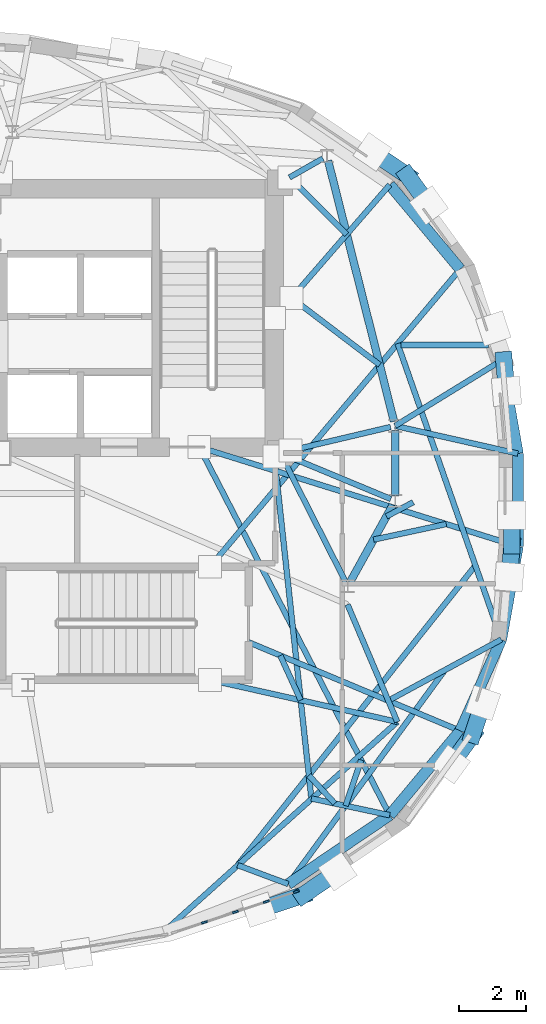
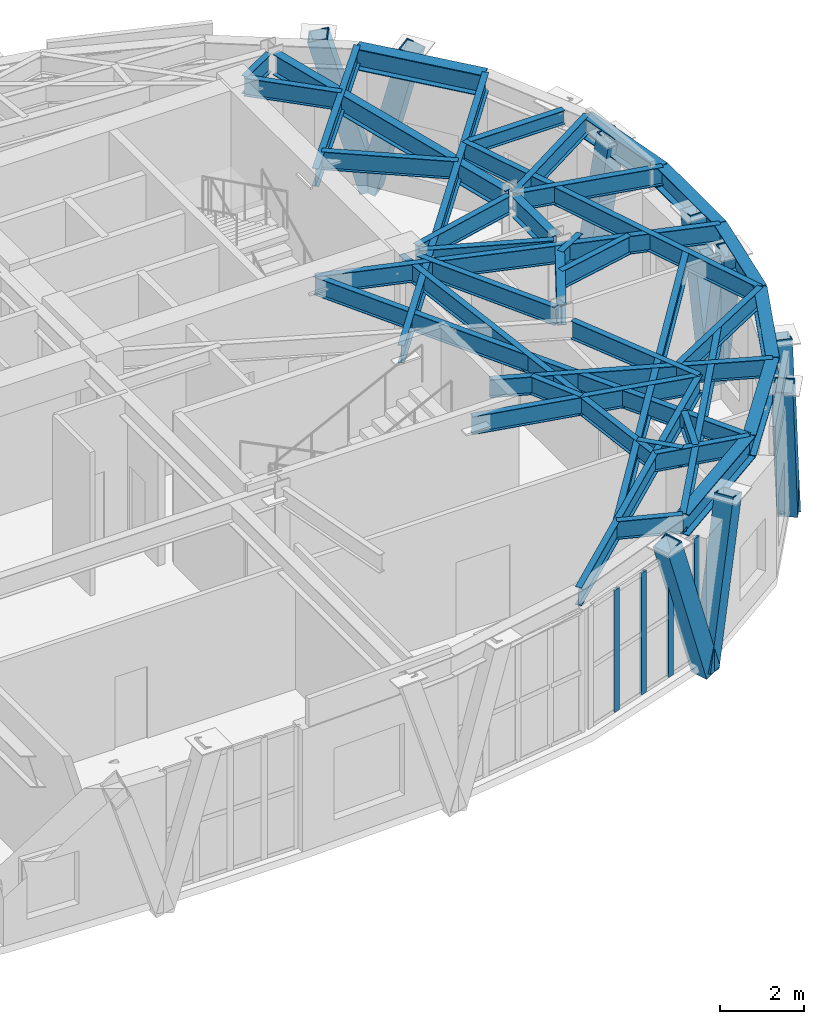
# One storey, part 6 of 16: 39 beams, 13 members, 1 element without a shape of its own.
"""IFC4 building model written with IfcOpenShell, lengths in metres."""

from ifc_helpers import new_model, si_unit, direction, frame, origin, origin_2d, place, context, subcontext, project, spatial, rectangle, hollow_rectangle, i_section, extrude, material, layer, layer_set, material_profile, profile_set, type_object, element, aggregate, save


model = new_model("IFC4")

# Units and contexts
model_context = context("Model", 3, precision=1e-05, world=origin(), true_north=direction((0.0, 1.0)))
body_context = subcontext(model_context, "Body", "Model", "MODEL_VIEW")
ifc_project = project(units=[si_unit("LENGTHUNIT", "METRE"), si_unit("AREAUNIT", "SQUARE_METRE"), si_unit("VOLUMEUNIT", "CUBIC_METRE"), si_unit("PLANEANGLEUNIT", "RADIAN"), si_unit("MASSUNIT", "GRAM", prefix="KILO")], contexts=[model_context])

# Site, building, storey
site_placement = place(None, origin())
site = spatial("IfcSite", under=ifc_project, at=site_placement, CompositionType="ELEMENT")
building_placement = place(site_placement, origin())
building = spatial("IfcBuilding", under=site, at=building_placement, Name="Keldmark Tower", CompositionType="ELEMENT")
storey_placement = place(building_placement, frame((0.0, 0.0, 264.800048828125)))
storey = spatial("IfcBuildingStorey", under=building, at=storey_placement, Name="L75", CompositionType="ELEMENT", Elevation=264.800048828125)

# Beam
ifc_material_1 = material(Name="Steel ASTM A992 Grade 50", Category="steel")
ifc_material_profile_1 = material_profile(ifc_material_1, i_section(OverallWidth=0.177978515625, OverallDepth=0.403076171875, WebThickness=0.007568359375, FlangeThickness=0.010986328125, at=origin_2d()), Name="W16X36")
ifc_profile_set_1 = profile_set([ifc_material_profile_1], Name="Steel ASTM A992 Grade 50")
beam_type_1 = type_object("IfcBeamType", Name="Composite Floor Joist W16X36", PredefinedType="JOIST", material=ifc_profile_set_1)
beam_1_placement = place(storey_placement, frame((17.193359375, 4.6201171875, 3.99853515625), z_axis=(1.0, 0.0, 0.0), x_axis=(0.0, 1.0, 0.0)))
element("IfcBeam", 1, at=beam_1_placement, inside=storey, type_object=beam_type_1, Name="L75 Composite Floor Joist J02", PredefinedType="JOIST", context=body_context, shape_type="SweptSolid", body=[
    extrude(i_section(OverallWidth=0.177978515625, OverallDepth=0.403076171875, WebThickness=0.007568359375, FlangeThickness=0.010986328125, at=origin_2d()), origin(), (0.0, 0.0, 1.0), 2.61669921875),
])

# Curtain wall, members
ifc_material_2 = material(Name="Unitized Thermally Broken Aluminum and Triple Low-E Glazing", Category="aluminium")
ifc_layer = layer(ifc_material_2, 0.219970703125)
ifc_layer_set = layer_set([ifc_layer], Name="Unitized Thermally Broken Aluminum and Triple Low-E Glazing")
curtain_wall_type = type_object("IfcCurtainWallType", Name="Public Observation Lookout Curtain Wall System", PredefinedType="NOTDEFINED", material=ifc_layer_set)
curtain_wall_placement = place(storey_placement, origin())
curtain_wall = element("IfcCurtainWall", 2, at=curtain_wall_placement, inside=storey, type_object=curtain_wall_type, Name="L75 Public Observation Lookout Curtain Wall System CW-L75-27", PredefinedType="NOTDEFINED")
ifc_material_3 = material(Name="Extruded Aluminum Alloy 6063-T6", Category="aluminium")
ifc_material_profile_2 = material_profile(ifc_material_3, rectangle(XDim=0.06005859375, YDim=0.179931640625, at=origin_2d()), Name="CWM60X180")
ifc_profile_set_2 = profile_set([ifc_material_profile_2], Name="Extruded Aluminum Alloy 6063-T6")
member_type_1 = type_object("IfcMemberType", Name="Curtain Wall Structural Mullion 60x180", PredefinedType="MULLION", material=ifc_profile_set_2)
member_1_placement = place(storey_placement, frame((14.08056640625, -11.667236328125, 0.0), z_axis=(0.0, 0.0, 1.0), x_axis=(0.316776009076, -0.948500374314, 0.0)))
member_1 = element("IfcMember", 3, at=member_1_placement, type_object=member_type_1, Name="CW mullion 1", PredefinedType="MULLION", context=body_context, shape_type="SweptSolid", body=[
    extrude(rectangle(XDim=0.06005859375, YDim=0.179931640625, at=origin_2d()), origin(), (0.0, 0.0, 1.0), 3.56591796875),
])
member_2_placement = place(storey_placement, frame((13.187744140625, -11.96533203125, 0.0), z_axis=(0.0, 0.0, 1.0), x_axis=(0.316776009076, -0.948500374314, 0.0)))
member_2 = element("IfcMember", 4, at=member_2_placement, type_object=member_type_1, Name="CW mullion 2", PredefinedType="MULLION", context=body_context, shape_type="SweptSolid", body=[
    extrude(rectangle(XDim=0.06005859375, YDim=0.179931640625, at=origin_2d()), origin(), (0.0, 0.0, 1.0), 3.56591796875),
])
member_3_placement = place(storey_placement, frame((12.2666015625, -12.27294921875, 0.0), z_axis=(0.0, 0.0, 1.0), x_axis=(0.316776009076, -0.948500374314, 0.0)))
member_3 = element("IfcMember", 5, at=member_3_placement, type_object=member_type_1, Name="CW mullion 3", PredefinedType="MULLION", context=body_context, shape_type="SweptSolid", body=[
    extrude(rectangle(XDim=0.06005859375, YDim=0.179931640625, at=origin_2d()), origin(), (0.0, 0.0, 1.0), 3.56591796875),
])
member_4_placement = place(storey_placement, frame((11.345458984375, -12.58056640625, 0.0), z_axis=(0.0, 0.0, 1.0), x_axis=(0.316776009076, -0.948500374314, 0.0)))
member_4 = element("IfcMember", 6, at=member_4_placement, type_object=member_type_1, Name="CW mullion 4", PredefinedType="MULLION", context=body_context, shape_type="SweptSolid", body=[
    extrude(rectangle(XDim=0.06005859375, YDim=0.179931640625, at=origin_2d()), origin(), (0.0, 0.0, 1.0), 3.56591796875),
])
aggregate(curtain_wall, [member_1, member_2, member_3, member_4])

# Members
ifc_material_4 = material(Name="Steel ASTM A572 Grade 50", Category="steel")
ifc_material_profile_3 = material_profile(ifc_material_4, hollow_rectangle(XDim=0.5, YDim=0.5, WallThickness=0.030029296875, at=origin_2d()), Name="BOX500X500X30")
ifc_profile_set_3 = profile_set([ifc_material_profile_3], Name="Steel ASTM A572 Grade 50")
member_type_2 = type_object("IfcMemberType", Name="Diagrid Upper Brace BOX500X500X30", PredefinedType="BRACE", material=ifc_profile_set_3)
member_5_placement = place(storey_placement, frame((20.265869140625, 4.174072265625, -0.300048828125), z_axis=(0.017549855545, -0.20890868417, 0.977777666061), x_axis=(0.996489953862, 0.083712435467, 0.0)))
element("IfcMember", 7, at=member_5_placement, inside=storey, type_object=member_type_2, Name="L75 Perimeter Diagrid Brace 01A", PredefinedType="BRACE", context=body_context, shape_type="SweptSolid", body=[
    extrude(hollow_rectangle(XDim=0.5, YDim=0.5, WallThickness=0.030029296875, at=origin_2d()), origin(), (0.0, 0.0, 1.0), 4.4794921875),
])
member_6_placement = place(storey_placement, frame((17.3857421875, 9.673828125, -0.300048828125), z_axis=(0.143564574241, -0.197617501289, 0.969709511249), x_axis=(0.809042194464, 0.587750565781, 0.0)))
element("IfcMember", 8, at=member_6_placement, inside=storey, type_object=member_type_2, Name="L75 Perimeter Diagrid Brace 02A", PredefinedType="BRACE", context=body_context, shape_type="SweptSolid", body=[
    extrude(hollow_rectangle(XDim=0.5, YDim=0.5, WallThickness=0.030029296875, at=origin_2d()), origin(), (0.0, 0.0, 1.0), 4.5166015625),
])
member_7_placement = place(storey_placement, frame((17.39208984375, 9.6640625, -0.300048828125), z_axis=(-0.228696837944, 0.155035991803, 0.961073148912), x_axis=(-0.561126782944, -0.827729867446, 0.0)))
element("IfcMember", 9, at=member_7_placement, inside=storey, type_object=member_type_2, Name="L75 Perimeter Diagrid Brace 02B", PredefinedType="BRACE", context=body_context, shape_type="SweptSolid", body=[
    extrude(hollow_rectangle(XDim=0.5, YDim=0.5, WallThickness=0.030029296875, at=origin_2d()), origin(), (0.0, 0.0, 1.0), 4.557373046875),
])
member_8_placement = place(storey_placement, frame((14.283203125, -11.769287109375, -0.300048828125), z_axis=(-0.286614020453, -0.095697413948, 0.95325463977), x_axis=(0.316702516416, -0.948524915907, 0.0)))
element("IfcMember", 10, at=member_8_placement, inside=storey, type_object=member_type_2, Name="L75 Perimeter Diagrid Brace 14A", PredefinedType="BRACE", context=body_context, shape_type="SweptSolid", body=[
    extrude(hollow_rectangle(XDim=0.5, YDim=0.5, WallThickness=0.030029296875, at=origin_2d()), origin(), (0.0, 0.0, 1.0), 4.5947265625),
])
member_9_placement = place(storey_placement, frame((14.2734375, -11.775634765625, -0.300048828125), z_axis=(0.228747606624, 0.155034092171, 0.961061373029), x_axis=(-0.561036738191, 0.827790902583, 0.0)))
element("IfcMember", 11, at=member_9_placement, inside=storey, type_object=member_type_2, Name="L75 Perimeter Diagrid Brace 14B", PredefinedType="BRACE", context=body_context, shape_type="SweptSolid", body=[
    extrude(hollow_rectangle(XDim=0.5, YDim=0.5, WallThickness=0.030029296875, at=origin_2d()), origin(), (0.0, 0.0, 1.0), 4.557373046875),
])
member_10_placement = place(storey_placement, frame((19.338134765625, -6.986083984375, -0.300048828125), z_axis=(-0.143617512478, -0.19761596749, 0.969701984892), x_axis=(0.808936967697, -0.5878953838, 0.0)))
element("IfcMember", 12, at=member_10_placement, inside=storey, type_object=member_type_2, Name="L75 Perimeter Diagrid Brace 15A", PredefinedType="BRACE", context=body_context, shape_type="SweptSolid", body=[
    extrude(hollow_rectangle(XDim=0.5, YDim=0.5, WallThickness=0.030029296875, at=origin_2d()), origin(), (0.0, 0.0, 1.0), 4.516845703125),
])
member_11_placement = place(storey_placement, frame((19.33154296875, -6.995849609375, -0.300048828125), z_axis=(0.069835665886, 0.211028708665, 0.974981981315), x_axis=(-0.949365654969, 0.314173285252, 0.0)))
element("IfcMember", 13, at=member_11_placement, inside=storey, type_object=member_type_2, Name="L75 Perimeter Diagrid Brace 15B", PredefinedType="BRACE", context=body_context, shape_type="SweptSolid", body=[
    extrude(hollow_rectangle(XDim=0.5, YDim=0.5, WallThickness=0.030029296875, at=origin_2d()), origin(), (0.0, 0.0, 1.0), 4.4921875),
])
member_12_placement = place(storey_placement, frame((20.50390625, -1.35546875, -0.300048828125), z_axis=(-0.017549855545, -0.20890868417, 0.977777666061), x_axis=(0.996489953862, -0.083712435467, 0.0)))
element("IfcMember", 14, at=member_12_placement, inside=storey, type_object=member_type_2, Name="L75 Perimeter Diagrid Brace 16A", PredefinedType="BRACE", context=body_context, shape_type="SweptSolid", body=[
    extrude(hollow_rectangle(XDim=0.5, YDim=0.5, WallThickness=0.030029296875, at=origin_2d()), origin(), (0.0, 0.0, 1.0), 4.4794921875),
])
member_13_placement = place(storey_placement, frame((20.50146484375, -1.366943359375, -0.300048828125), z_axis=(0.0, 0.204555585625, 0.978854949617), x_axis=(-1.0, 0.0, 0.0)))
element("IfcMember", 15, at=member_13_placement, inside=storey, type_object=member_type_2, Name="L75 Perimeter Diagrid Brace 16B", PredefinedType="BRACE", context=body_context, shape_type="SweptSolid", body=[
    extrude(hollow_rectangle(XDim=0.5, YDim=0.5, WallThickness=0.030029296875, at=origin_2d()), origin(), (0.0, 0.0, 1.0), 4.474609375),
])

# Beams
ifc_material_5 = material(Name="Steel ASTM A992 Grade 50", Category="steel")
ifc_material_profile_4 = material_profile(ifc_material_5, i_section(OverallWidth=0.22802734375, OverallDepth=0.60302734375, WebThickness=0.010498046875, FlangeThickness=0.014892578125, at=origin_2d()), Name="W24X68")
ifc_profile_set_4 = profile_set([ifc_material_profile_4], Name="Steel ASTM A992 Grade 50")
beam_type_2 = type_object("IfcBeamType", Name="Primary Floor Girder W24X68", PredefinedType="BEAM", material=ifc_profile_set_4)
beam_2_placement = place(storey_placement, frame((16.9912109375, 2.34375, 3.8984375), z_axis=(-0.244902129455, 0.969547805417, 0.0), x_axis=(-0.969547805417, -0.244902129455, 0.0)))
element("IfcBeam", 16, at=beam_2_placement, inside=storey, type_object=beam_type_2, Name="L75 Floor Ring Girder FG-R01", PredefinedType="BEAM", context=body_context, shape_type="SweptSolid", body=[
    extrude(i_section(OverallWidth=0.22802734375, OverallDepth=0.60302734375, WebThickness=0.010498046875, FlangeThickness=0.014892578125, at=origin_2d()), origin(), (0.0, 0.0, 1.0), 8.008056640625),
])
beam_3_placement = place(storey_placement, frame((15.68408203125, -2.44482421875, 3.8984375), z_axis=(0.484719680408, 0.874669555561, 0.0), x_axis=(-0.874669555561, 0.484719680408, 0.0)))
element("IfcBeam", 17, at=beam_3_placement, inside=storey, type_object=beam_type_2, Name="L75 Floor Ring Girder FG-R11", PredefinedType="BEAM", context=body_context, shape_type="SweptSolid", body=[
    extrude(i_section(OverallWidth=0.22802734375, OverallDepth=0.60302734375, WebThickness=0.010498046875, FlangeThickness=0.014892578125, at=origin_2d()), origin(), (0.0, 0.0, 1.0), 2.627685546875),
])
beam_4_placement = place(storey_placement, frame((17.025634765625, 0.115966796875, 3.8984375), z_axis=(0.0, 1.0, 0.0), x_axis=(-1.0, 0.0, 0.0)))
element("IfcBeam", 18, at=beam_4_placement, inside=storey, type_object=beam_type_2, Name="L75 Floor Ring Girder FG-R12", PredefinedType="BEAM", context=body_context, shape_type="SweptSolid", body=[
    extrude(i_section(OverallWidth=0.22802734375, OverallDepth=0.60302734375, WebThickness=0.010498046875, FlangeThickness=0.014892578125, at=origin_2d()), origin(), (0.0, 0.0, 1.0), 1.9521484375),
])
ifc_material_6 = material(Name="Steel ASTM A992 Grade 50", Category="steel")
ifc_material_profile_5 = material_profile(ifc_material_6, i_section(OverallWidth=0.166015625, OverallDepth=0.529052734375, WebThickness=0.009765625, FlangeThickness=0.013671875, at=origin_2d()), Name="W21X50")
ifc_profile_set_5 = profile_set([ifc_material_profile_5], Name="Steel ASTM A992 Grade 50")
beam_type_3 = type_object("IfcBeamType", Name="Radial Tie Girder W21X50", PredefinedType="BEAM", material=ifc_profile_set_5)
beam_5_placement = place(storey_placement, frame((16.889404296875, 2.17578125, 3.935546875), z_axis=(-0.97329039005, -0.229577474147, 0.0), x_axis=(0.229577474147, -0.97329039005, 0.0)))
element("IfcBeam", 19, at=beam_5_placement, inside=storey, type_object=beam_type_3, Name="L75 Floor Radial Girder FG-C01", PredefinedType="BEAM", context=body_context, shape_type="SweptSolid", body=[
    extrude(i_section(OverallWidth=0.166015625, OverallDepth=0.529052734375, WebThickness=0.009765625, FlangeThickness=0.013671875, at=origin_2d()), origin(), (0.0, 0.0, 1.0), 3.0595703125),
])
beam_6_placement = place(storey_placement, frame((14.8740234375, 10.174560546875, 3.935546875), z_axis=(-0.869238046195, -0.494393789451, 0.0), x_axis=(0.494393789451, -0.869238046195, 0.0)))
element("IfcBeam", 20, at=beam_6_placement, inside=storey, type_object=beam_type_3, Name="L75 Floor Radial Girder FG-C02", PredefinedType="BEAM", context=body_context, shape_type="SweptSolid", body=[
    extrude(i_section(OverallWidth=0.166015625, OverallDepth=0.529052734375, WebThickness=0.009765625, FlangeThickness=0.013671875, at=origin_2d()), origin(), (0.0, 0.0, 1.0), 1.145751953125),
])
beam_7_placement = place(storey_placement, frame((15.552734375, -2.442626953125, 3.935546875), z_axis=(-0.453004410574, 0.89150827478, 0.0), x_axis=(-0.89150827478, -0.453004410574, 0.0)))
element("IfcBeam", 21, at=beam_7_placement, inside=storey, type_object=beam_type_3, Name="L75 Floor Radial Girder FG-C11", PredefinedType="BEAM", context=body_context, shape_type="SweptSolid", body=[
    extrude(i_section(OverallWidth=0.166015625, OverallDepth=0.529052734375, WebThickness=0.009765625, FlangeThickness=0.013671875, at=origin_2d()), origin(), (0.0, 0.0, 1.0), 3.990234375),
])
beam_8_placement = place(storey_placement, frame((16.896240234375, 0.02978515625, 3.935546875), z_axis=(-0.923403331902, 0.383831065226, 0.0), x_axis=(-0.383831065226, -0.923403331902, 0.0)))
element("IfcBeam", 22, at=beam_8_placement, inside=storey, type_object=beam_type_3, Name="L75 Floor Radial Girder FG-C12", PredefinedType="BEAM", context=body_context, shape_type="SweptSolid", body=[
    extrude(i_section(OverallWidth=0.166015625, OverallDepth=0.529052734375, WebThickness=0.009765625, FlangeThickness=0.013671875, at=origin_2d()), origin(), (0.0, 0.0, 1.0), 3.249755859375),
])
beam_9_placement = place(storey_placement, frame((16.7666015625, -0.4912109375, 3.935546875), z_axis=(0.882233345086, 0.470812409372, 0.0), x_axis=(-0.470812409372, 0.882233345086, 0.0)))
element("IfcBeam", 23, at=beam_9_placement, inside=storey, type_object=beam_type_3, Name="L75 Framing Pin Header PH-002", PredefinedType="BEAM", context=body_context, shape_type="SweptSolid", body=[
    extrude(i_section(OverallWidth=0.166015625, OverallDepth=0.529052734375, WebThickness=0.009765625, FlangeThickness=0.013671875, at=origin_2d()), origin(), (0.0, 0.0, 1.0), 0.904296875),
])
beam_10_placement = place(storey_placement, frame((13.878173828125, 9.608154296875, 3.935546875), z_axis=(0.709539117679, -0.704666048907, 0.0), x_axis=(0.704666048907, 0.709539117679, 0.0)))
element("IfcBeam", 24, at=beam_10_placement, inside=storey, type_object=beam_type_3, Name="L75 Framing Pin Header PH-003", PredefinedType="BEAM", context=body_context, shape_type="SweptSolid", body=[
    extrude(i_section(OverallWidth=0.166015625, OverallDepth=0.529052734375, WebThickness=0.009765625, FlangeThickness=0.013671875, at=origin_2d()), origin(), (0.0, 0.0, 1.0), 2.40478515625),
])
beam_11_placement = place(storey_placement, frame((13.425048828125, 5.425048828125, 3.935546875), z_axis=(0.655390775295, 0.755289965284, 0.0), x_axis=(-0.755289965284, 0.655390775295, 0.0)))
element("IfcBeam", 25, at=beam_11_placement, inside=storey, type_object=beam_type_3, Name="L75 Perimeter Radial Tie Girder CRT-E04", PredefinedType="BEAM", context=body_context, shape_type="SweptSolid", body=[
    extrude(i_section(OverallWidth=0.166015625, OverallDepth=0.529052734375, WebThickness=0.009765625, FlangeThickness=0.013671875, at=origin_2d()), origin(), (0.0, 0.0, 1.0), 5.24951171875),
])
beam_12_placement = place(storey_placement, frame((13.941162109375, 6.019775390625, 3.935546875), z_axis=(0.79627919012, -0.604929294531, 0.0), x_axis=(0.604929294531, 0.79627919012, 0.0)))
element("IfcBeam", 26, at=beam_12_placement, inside=storey, type_object=beam_type_3, Name="L75 Framing Pin Header PH-004", PredefinedType="BEAM", context=body_context, shape_type="SweptSolid", body=[
    extrude(i_section(OverallWidth=0.166015625, OverallDepth=0.529052734375, WebThickness=0.009765625, FlangeThickness=0.013671875, at=origin_2d()), origin(), (0.0, 0.0, 1.0), 3.296875),
])
beam_13_placement = place(storey_placement, frame((11.510009765625, -1.989990234375, 3.935546875), z_axis=(0.643458492731, 0.765481004423, 0.0), x_axis=(-0.765481004423, 0.643458492731, 0.0)))
element("IfcBeam", 27, at=beam_13_placement, inside=storey, type_object=beam_type_3, Name="L75 Perimeter Radial Tie Girder CRT-E05", PredefinedType="BEAM", context=body_context, shape_type="SweptSolid", body=[
    extrude(i_section(OverallWidth=0.166015625, OverallDepth=0.529052734375, WebThickness=0.009765625, FlangeThickness=0.013671875, at=origin_2d()), origin(), (0.0, 0.0, 1.0), 11.58251953125),
])
beam_14_placement = place(storey_placement, frame((17.025634765625, 2.2080078125, 3.935546875), z_axis=(0.851698929261, 0.524031424531, 0.0), x_axis=(-0.524031424531, 0.851698929261, 0.0)))
element("IfcBeam", 28, at=beam_14_placement, inside=storey, type_object=beam_type_3, Name="L75 Perimeter Column Bracket CRT-E06", PredefinedType="BEAM", context=body_context, shape_type="SweptSolid", body=[
    extrude(i_section(OverallWidth=0.166015625, OverallDepth=0.529052734375, WebThickness=0.009765625, FlangeThickness=0.013671875, at=origin_2d()), origin(), (0.0, 0.0, 1.0), 3.715087890625),
])
beam_15_placement = place(storey_placement, frame((17.025634765625, 2.2080078125, 3.935546875), z_axis=(0.975411653885, -0.220390801679, 0.0), x_axis=(0.220390801679, 0.975411653885, 0.0)))
element("IfcBeam", 29, at=beam_15_placement, inside=storey, type_object=beam_type_3, Name="L75 Perimeter Column Bracket CRT-E07", PredefinedType="BEAM", context=body_context, shape_type="SweptSolid", body=[
    extrude(i_section(OverallWidth=0.166015625, OverallDepth=0.529052734375, WebThickness=0.009765625, FlangeThickness=0.013671875, at=origin_2d()), origin(), (0.0, 0.0, 1.0), 3.748779296875),
])
beam_16_placement = place(storey_placement, frame((16.384521484375, -1.180908203125, 3.935546875), z_axis=(0.977789497857, 0.209589355362, 0.0), x_axis=(-0.209589355362, 0.977789497857, 0.0)))
element("IfcBeam", 30, at=beam_16_placement, inside=storey, type_object=beam_type_3, Name="L75 Framing Pin Header PH-005", PredefinedType="BEAM", context=body_context, shape_type="SweptSolid", body=[
    extrude(i_section(OverallWidth=0.166015625, OverallDepth=0.529052734375, WebThickness=0.009765625, FlangeThickness=0.013671875, at=origin_2d()), origin(), (0.0, 0.0, 1.0), 2.213134765625),
])
beam_17_placement = place(storey_placement, frame((11.19287109375, 1.574951171875, 3.935546875), z_axis=(0.954726159168, -0.297486068583, 0.0), x_axis=(0.297486068583, 0.954726159168, 0.0)))
element("IfcBeam", 31, at=beam_17_placement, inside=storey, type_object=beam_type_3, Name="L75 Perimeter Radial Tie Girder CRT-E08", PredefinedType="BEAM", context=body_context, shape_type="SweptSolid", body=[
    extrude(i_section(OverallWidth=0.166015625, OverallDepth=0.529052734375, WebThickness=0.009765625, FlangeThickness=0.013671875, at=origin_2d()), origin(), (0.0, 0.0, 1.0), 9.939208984375),
])
beam_18_placement = place(storey_placement, frame((17.099609375, 4.65966796875, 3.935546875), z_axis=(0.330830065878, -0.943690345141, 0.0), x_axis=(0.943690345141, 0.330830065878, 0.0)))
element("IfcBeam", 32, at=beam_18_placement, inside=storey, type_object=beam_type_3, Name="L75 Perimeter Radial Tie Girder CRT-E09", PredefinedType="BEAM", context=body_context, shape_type="SweptSolid", body=[
    extrude(i_section(OverallWidth=0.166015625, OverallDepth=0.529052734375, WebThickness=0.009765625, FlangeThickness=0.013671875, at=origin_2d()), origin(), (0.0, 0.0, 1.0), 9.34033203125),
])
beam_19_placement = place(storey_placement, frame((11.510009765625, -5.360107421875, 3.935546875), z_axis=(0.975838249695, -0.218494188553, 0.0), x_axis=(0.218494188553, 0.975838249695, 0.0)))
element("IfcBeam", 33, at=beam_19_placement, inside=storey, type_object=beam_type_3, Name="L75 Intermediate Radial Step Girder CRT-E10M", PredefinedType="BEAM", context=body_context, shape_type="SweptSolid", body=[
    extrude(i_section(OverallWidth=0.166015625, OverallDepth=0.529052734375, WebThickness=0.009765625, FlangeThickness=0.013671875, at=origin_2d()), origin(), (0.0, 0.0, 1.0), 5.71875),
])
beam_20_placement = place(storey_placement, frame((15.60791015625, -3.115234375, 3.935546875), z_axis=(0.390594442547, -0.920562861217, 0.0), x_axis=(0.920562861217, 0.390594442547, 0.0)))
element("IfcBeam", 34, at=beam_20_placement, inside=storey, type_object=beam_type_3, Name="L75 Local Collector Chord CRT-E10C", PredefinedType="BEAM", context=body_context, shape_type="SweptSolid", body=[
    extrude(i_section(OverallWidth=0.166015625, OverallDepth=0.529052734375, WebThickness=0.009765625, FlangeThickness=0.013671875, at=origin_2d()), origin(), (0.0, 0.0, 1.0), 3.7958984375),
])
beam_21_placement = place(storey_placement, frame((20.189697265625, -4.15478515625, 3.935546875), z_axis=(-0.879064913193, -0.476702085577, 0.0), x_axis=(0.476702085577, -0.879064913193, 0.0)))
element("IfcBeam", 35, at=beam_21_placement, inside=storey, type_object=beam_type_3, Name="L75 Framing Pin Header PH-006", PredefinedType="BEAM", context=body_context, shape_type="SweptSolid", body=[
    extrude(i_section(OverallWidth=0.166015625, OverallDepth=0.529052734375, WebThickness=0.009765625, FlangeThickness=0.013671875, at=origin_2d()), origin(), (0.0, 0.0, 1.0), 3.829345703125),
])
beam_22_placement = place(storey_placement, frame((12.659912109375, -4.23681640625, 3.935546875), z_axis=(0.922391556642, -0.386256153653, 0.0), x_axis=(0.386256153653, 0.922391556642, 0.0)))
element("IfcBeam", 36, at=beam_22_placement, inside=storey, type_object=beam_type_3, Name="L75 Perimeter Radial Tie Girder CRT-E10", PredefinedType="BEAM", context=body_context, shape_type="SweptSolid", body=[
    extrude(i_section(OverallWidth=0.166015625, OverallDepth=0.529052734375, WebThickness=0.009765625, FlangeThickness=0.013671875, at=origin_2d()), origin(), (0.0, 0.0, 1.0), 6.833251953125),
])
beam_23_placement = place(storey_placement, frame((11.19287109375, 1.574951171875, 3.935546875), z_axis=(0.459495546861, -0.888180073192, 0.0), x_axis=(0.888180073192, 0.459495546861, 0.0)))
element("IfcBeam", 37, at=beam_23_placement, inside=storey, type_object=beam_type_3, Name="L75 Perimeter Radial Tie Girder CRT-E11", PredefinedType="BEAM", context=body_context, shape_type="SweptSolid", body=[
    extrude(i_section(OverallWidth=0.166015625, OverallDepth=0.529052734375, WebThickness=0.009765625, FlangeThickness=0.013671875, at=origin_2d()), origin(), (0.0, 0.0, 1.0), 12.34521484375),
])
beam_24_placement = place(storey_placement, frame((13.60546875, -4.632568359375, 3.935546875), z_axis=(0.41450631067, -0.910046437505, 0.0), x_axis=(0.910046437505, 0.41450631067, 0.0)))
element("IfcBeam", 38, at=beam_24_placement, inside=storey, type_object=beam_type_3, Name="L75 Framing Pin Header PH-007", PredefinedType="BEAM", context=body_context, shape_type="SweptSolid", body=[
    extrude(i_section(OverallWidth=0.166015625, OverallDepth=0.529052734375, WebThickness=0.009765625, FlangeThickness=0.013671875, at=origin_2d()), origin(), (0.0, 0.0, 1.0), 1.464111328125),
])
beam_25_placement = place(storey_placement, frame((13.425048828125, 1.300048828125, 3.935546875), z_axis=(0.107757304843, -0.994177229297, 0.0), x_axis=(0.994177229297, 0.107757304843, 0.0)))
element("IfcBeam", 39, at=beam_25_placement, inside=storey, type_object=beam_type_3, Name="L75 Intermediate Radial Step Girder CRT-E12M", PredefinedType="BEAM", context=body_context, shape_type="SweptSolid", body=[
    extrude(i_section(OverallWidth=0.166015625, OverallDepth=0.529052734375, WebThickness=0.009765625, FlangeThickness=0.013671875, at=origin_2d()), origin(), (0.0, 0.0, 1.0), 10.252197265625),
])
beam_26_placement = place(storey_placement, frame((16.865478515625, -9.389892578125, 3.935546875), z_axis=(-0.978054539631, 0.208349028093, 0.0), x_axis=(-0.208349028093, -0.978054539631, 0.0)))
element("IfcBeam", 40, at=beam_26_placement, inside=storey, type_object=beam_type_3, Name="L75 Local Collector Chord CRT-E12C", PredefinedType="BEAM", context=body_context, shape_type="SweptSolid", body=[
    extrude(i_section(OverallWidth=0.166015625, OverallDepth=0.529052734375, WebThickness=0.009765625, FlangeThickness=0.013671875, at=origin_2d()), origin(), (0.0, 0.0, 1.0), 2.38818359375),
])
beam_27_placement = place(storey_placement, frame((16.014404296875, -7.7451171875, 3.935546875), z_axis=(-0.323280715787, -0.946303111482, 0.0), x_axis=(0.946303111482, -0.323280715787, 0.0)))
element("IfcBeam", 41, at=beam_27_placement, inside=storey, type_object=beam_type_3, Name="L75 Framing Pin Header PH-008", PredefinedType="BEAM", context=body_context, shape_type="SweptSolid", body=[
    extrude(i_section(OverallWidth=0.166015625, OverallDepth=0.529052734375, WebThickness=0.009765625, FlangeThickness=0.013671875, at=origin_2d()), origin(), (0.0, 0.0, 1.0), 1.441650390625),
])
beam_28_placement = place(storey_placement, frame((18.506591796875, -5.067626953125, 3.935546875), z_axis=(-0.590657280897, -0.8069225344, 0.0), x_axis=(0.8069225344, -0.590657280897, 0.0)))
element("IfcBeam", 42, at=beam_28_placement, inside=storey, type_object=beam_type_3, Name="L75 Perimeter Radial Tie Girder CRT-E12", PredefinedType="BEAM", context=body_context, shape_type="SweptSolid", body=[
    extrude(i_section(OverallWidth=0.166015625, OverallDepth=0.529052734375, WebThickness=0.009765625, FlangeThickness=0.013671875, at=origin_2d()), origin(), (0.0, 0.0, 1.0), 7.89892578125),
])
beam_29_placement = place(storey_placement, frame((15.23046875, -9.04150390625, 3.935546875), z_axis=(-0.679416563057, 0.733752774334, 0.0), x_axis=(-0.733752774334, -0.679416563057, 0.0)))
element("IfcBeam", 43, at=beam_29_placement, inside=storey, type_object=beam_type_3, Name="L75 Framing Pin Header PH-009", PredefinedType="BEAM", context=body_context, shape_type="SweptSolid", body=[
    extrude(i_section(OverallWidth=0.166015625, OverallDepth=0.529052734375, WebThickness=0.009765625, FlangeThickness=0.013671875, at=origin_2d()), origin(), (0.0, 0.0, 1.0), 1.141357421875),
])
beam_30_placement = place(storey_placement, frame((19.417236328125, -1.951416015625, 3.935546875), z_axis=(-0.621633658539, -0.783308109604, 0.0), x_axis=(0.783308109604, -0.621633658539, 0.0)))
element("IfcBeam", 44, at=beam_30_placement, inside=storey, type_object=beam_type_3, Name="L75 Intermediate Radial Step Girder CRT-E13M", PredefinedType="BEAM", context=body_context, shape_type="SweptSolid", body=[
    extrude(i_section(OverallWidth=0.166015625, OverallDepth=0.529052734375, WebThickness=0.009765625, FlangeThickness=0.013671875, at=origin_2d()), origin(), (0.0, 0.0, 1.0), 11.396484375),
])
beam_31_placement = place(storey_placement, frame((13.841064453125, -11.44140625, 3.935546875), z_axis=(-0.936864038331, 0.349693828487, 0.0), x_axis=(-0.349693828487, -0.936864038331, 0.0)))
element("IfcBeam", 45, at=beam_31_placement, inside=storey, type_object=beam_type_3, Name="L75 Local Collector Chord CRT-E13C", PredefinedType="BEAM", context=body_context, shape_type="SweptSolid", body=[
    extrude(i_section(OverallWidth=0.166015625, OverallDepth=0.529052734375, WebThickness=0.009765625, FlangeThickness=0.013671875, at=origin_2d()), origin(), (0.0, 0.0, 1.0), 1.60986328125),
])
beam_32_placement = place(storey_placement, frame((17.090576171875, -6.609619140625, 3.935546875), z_axis=(-0.743519930096, -0.668713775505, 0.0), x_axis=(0.668713775505, -0.743519930096, 0.0)))
element("IfcBeam", 46, at=beam_32_placement, inside=storey, type_object=beam_type_3, Name="L75 Perimeter Radial Tie Girder CRT-E13", PredefinedType="BEAM", context=body_context, shape_type="SweptSolid", body=[
    extrude(i_section(OverallWidth=0.166015625, OverallDepth=0.529052734375, WebThickness=0.009765625, FlangeThickness=0.013671875, at=origin_2d()), origin(), (0.0, 0.0, 1.0), 9.353515625),
])
ifc_material_7 = material(Name="Steel ASTM A992 Grade 50", Category="steel")
ifc_material_profile_6 = material_profile(ifc_material_7, i_section(OverallWidth=0.326904296875, OverallDepth=0.6220703125, WebThickness=0.015380859375, FlangeThickness=0.0244140625, at=origin_2d()), Name="W24X131")
ifc_profile_set_6 = profile_set([ifc_material_profile_6], Name="Steel ASTM A992 Grade 50")
beam_type_4 = type_object("IfcBeamType", Name="Spandrel Ring Beam W24X131", PredefinedType="SPANDREL", material=ifc_profile_set_6)
beam_33_placement = place(storey_placement, frame((16.865478515625, 9.389892578125, 3.888916015625), z_axis=(0.640668394671, -0.767817691949, 0.0), x_axis=(0.767817691949, 0.640668394671, 0.0)))
element("IfcBeam", 47, at=beam_33_placement, inside=storey, type_object=beam_type_4, Name="L75 Crown Spandrel Ring Beam CRB-E04", PredefinedType="SPANDREL", context=body_context, shape_type="SweptSolid", body=[
    extrude(i_section(OverallWidth=0.326904296875, OverallDepth=0.6220703125, WebThickness=0.015380859375, FlangeThickness=0.0244140625, at=origin_2d()), origin(), (0.0, 0.0, 1.0), 3.273681640625),
])
beam_34_placement = place(storey_placement, frame((20.189697265625, 4.15478515625, 3.888916015625), z_axis=(0.174848462166, -0.984595356112, 0.0), x_axis=(0.984595356112, 0.174848462166, 0.0)))
element("IfcBeam", 48, at=beam_34_placement, inside=storey, type_object=beam_type_4, Name="L75 Crown Spandrel Ring Beam CRB-E06", PredefinedType="SPANDREL", context=body_context, shape_type="SweptSolid", body=[
    extrude(i_section(OverallWidth=0.326904296875, OverallDepth=0.6220703125, WebThickness=0.015380859375, FlangeThickness=0.0244140625, at=origin_2d()), origin(), (0.0, 0.0, 1.0), 2.81640625),
])
beam_35_placement = place(storey_placement, frame((20.68212890625, 1.3818359375, 3.888916015625), z_axis=(0.0, -1.0, 0.0), x_axis=(1.0, 0.0, 0.0)))
element("IfcBeam", 49, at=beam_35_placement, inside=storey, type_object=beam_type_4, Name="L75 Crown Spandrel Ring Beam CRB-E07", PredefinedType="SPANDREL", context=body_context, shape_type="SweptSolid", body=[
    extrude(i_section(OverallWidth=0.326904296875, OverallDepth=0.6220703125, WebThickness=0.015380859375, FlangeThickness=0.0244140625, at=origin_2d()), origin(), (0.0, 0.0, 1.0), 2.763671875),
])
beam_36_placement = place(storey_placement, frame((20.68212890625, -1.3818359375, 3.888916015625), z_axis=(-0.174848462166, -0.984595356112, 0.0), x_axis=(0.984595356112, -0.174848462166, 0.0)))
element("IfcBeam", 50, at=beam_36_placement, inside=storey, type_object=beam_type_4, Name="L75 Crown Spandrel Ring Beam CRB-E08", PredefinedType="SPANDREL", context=body_context, shape_type="SweptSolid", body=[
    extrude(i_section(OverallWidth=0.326904296875, OverallDepth=0.6220703125, WebThickness=0.015380859375, FlangeThickness=0.0244140625, at=origin_2d()), origin(), (0.0, 0.0, 1.0), 2.81640625),
])
beam_37_placement = place(storey_placement, frame((20.189697265625, -4.15478515625, 3.888916015625), z_axis=(-0.410966493749, -0.91165044892, 0.0), x_axis=(0.91165044892, -0.410966493749, 0.0)))
element("IfcBeam", 51, at=beam_37_placement, inside=storey, type_object=beam_type_4, Name="L75 Crown Spandrel Ring Beam CRB-E09", PredefinedType="SPANDREL", context=body_context, shape_type="SweptSolid", body=[
    extrude(i_section(OverallWidth=0.326904296875, OverallDepth=0.6220703125, WebThickness=0.015380859375, FlangeThickness=0.0244140625, at=origin_2d()), origin(), (0.0, 0.0, 1.0), 2.985107421875),
])
beam_38_placement = place(storey_placement, frame((18.962890625, -6.876220703125, 3.888916015625), z_axis=(-0.640668394671, -0.767817691949, 0.0), x_axis=(0.767817691949, -0.640668394671, 0.0)))
element("IfcBeam", 52, at=beam_38_placement, inside=storey, type_object=beam_type_4, Name="L75 Crown Spandrel Ring Beam CRB-E10", PredefinedType="SPANDREL", context=body_context, shape_type="SweptSolid", body=[
    extrude(i_section(OverallWidth=0.326904296875, OverallDepth=0.6220703125, WebThickness=0.015380859375, FlangeThickness=0.0244140625, at=origin_2d()), origin(), (0.0, 0.0, 1.0), 3.273681640625),
])
beam_39_placement = place(storey_placement, frame((16.865478515625, -9.389892578125, 3.888916015625), z_axis=(-0.827573313879, -0.561357649058, 0.0), x_axis=(0.561357649058, -0.827573313879, 0.0)))
element("IfcBeam", 53, at=beam_39_placement, inside=storey, type_object=beam_type_4, Name="L75 Crown Spandrel Ring Beam CRB-E11", PredefinedType="SPANDREL", context=body_context, shape_type="SweptSolid", body=[
    extrude(i_section(OverallWidth=0.326904296875, OverallDepth=0.6220703125, WebThickness=0.015380859375, FlangeThickness=0.0244140625, at=origin_2d()), origin(), (0.0, 0.0, 1.0), 3.654541015625),
])

save(model, "model.ifc")
